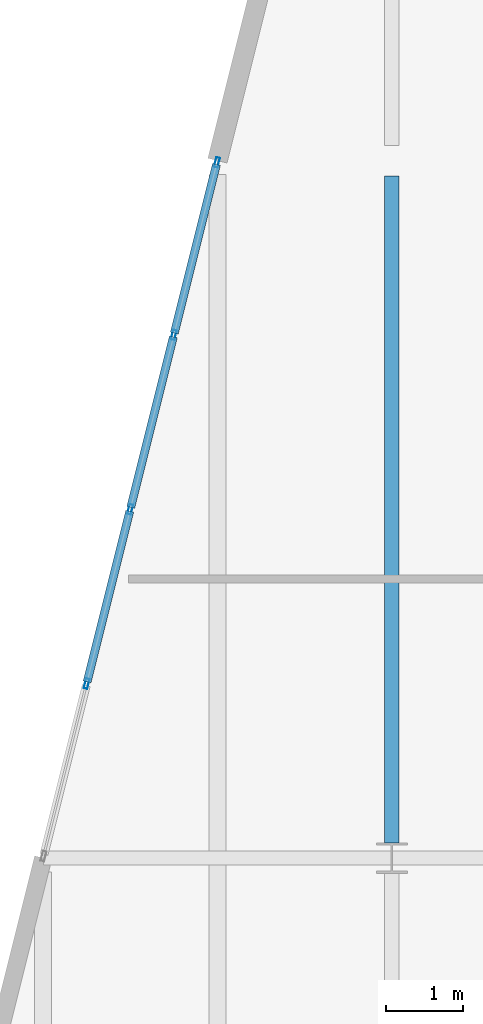
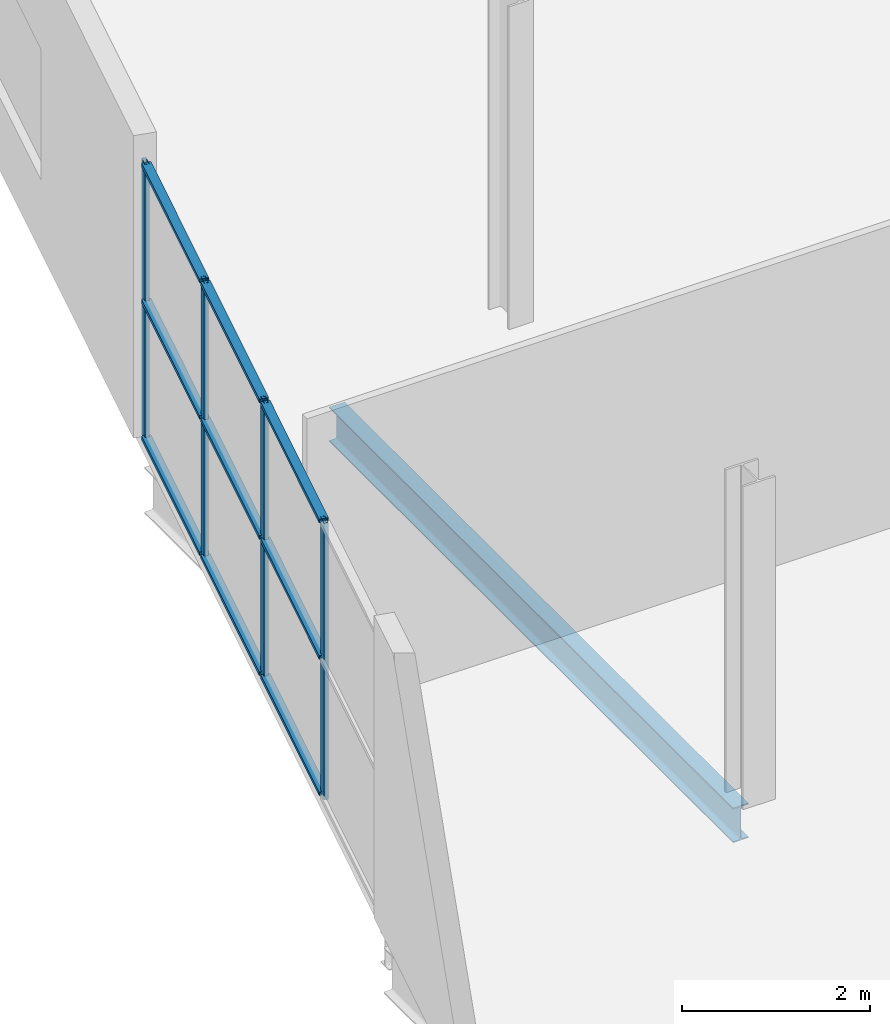
# One storey, part 53 of 132: 13 members, 1 beam, 1 element without a shape of its own.
"""IFC4 building model written with IfcOpenShell, lengths in metres."""

from ifc_helpers import new_model, si_unit, direction, frame, origin, origin_2d, place, context, subcontext, project, spatial, hollow_rectangle, i_section, extrude, material, layer, layer_set, material_profile, profile_set, type_object, element, aggregate, save


model = new_model("IFC4")

# Units and contexts
model_context = context("Model", 3, precision=1e-05, world=origin(), true_north=direction((0.0, 1.0)))
body_context = subcontext(model_context, "Body", "Model", "MODEL_VIEW")
ifc_project = project(units=[si_unit("LENGTHUNIT", "METRE"), si_unit("AREAUNIT", "SQUARE_METRE"), si_unit("VOLUMEUNIT", "CUBIC_METRE"), si_unit("PLANEANGLEUNIT", "RADIAN"), si_unit("MASSUNIT", "GRAM", prefix="KILO")], contexts=[model_context])

# Site, building, storey
site_placement = place(None, origin())
site = spatial("IfcSite", under=ifc_project, at=site_placement, CompositionType="ELEMENT")
building_placement = place(site_placement, origin())
building = spatial("IfcBuilding", under=site, at=building_placement, Name="Deido Ridge Mobility Hub", CompositionType="ELEMENT")
storey_placement = place(building_placement, frame((0.0, 0.0, 8.39990234375)))
storey = spatial("IfcBuildingStorey", under=building, at=storey_placement, Name="L02", CompositionType="ELEMENT", Elevation=8.39990234375)

# Beam
ifc_material_1 = material(Name="Steel S355J2 EN 10025-2", Category="steel")
ifc_material_profile_1 = material_profile(ifc_material_1, i_section(OverallWidth=0.18994140625, OverallDepth=0.449951171875, WebThickness=0.009521484375, FlangeThickness=0.0146484375, FilletRadius=0.02099609375, at=origin_2d()), Name="IPE 450")
ifc_profile_set_1 = profile_set([ifc_material_profile_1], Name="Steel S355J2 EN 10025-2")
beam_type = type_object("IfcBeamType", Name="BM-IPE450", PredefinedType="BEAM", material=ifc_profile_set_1)
beam_placement = place(storey_placement, frame((126.0, 18.196533203125, -0.47998046875), z_axis=(0.0, 1.0, 0.0), x_axis=(-1.0, 0.0, 0.0)))
element("IfcBeam", 1, at=beam_placement, inside=storey, type_object=beam_type, Name="Floor beam B4", PredefinedType="BEAM", context=body_context, shape_type="SweptSolid", body=[
    extrude(i_section(OverallWidth=0.18994140625, OverallDepth=0.449951171875, WebThickness=0.009521484375, FlangeThickness=0.0146484375, FilletRadius=0.02099609375, at=origin_2d()), origin(), (0.0, 0.0, 1.0), 8.60693359375),
])

# Curtain wall, members
ifc_material_2 = material(Name="Anodised aluminium EN AW-6063 T6", Category="aluminium")
ifc_layer = layer(ifc_material_2, 0.179931640625, Name="Anodised aluminium EN AW-6063 T6")
ifc_layer_set = layer_set([ifc_layer], Name="Anodised aluminium EN AW-6063 T6")
curtain_wall_type = type_object("IfcCurtainWallType", Name="CW-UF-2", PredefinedType="USERDEFINED", material=ifc_layer_set)
curtain_wall_placement = place(storey_placement, origin())
curtain_wall = element("IfcCurtainWall", 2, at=curtain_wall_placement, inside=storey, type_object=curtain_wall_type, Name="Unitised curtain wall CW2", ObjectType="UNITISED FACADE", PredefinedType="USERDEFINED")
ifc_material_profile_2 = material_profile(ifc_material_2, hollow_rectangle(XDim=0.050048828125, YDim=0.1298828125, WallThickness=0.00390625, at=origin_2d()), Name="RHS 50x130x4")
ifc_profile_set_2 = profile_set([ifc_material_profile_2], Name="Anodised aluminium EN AW-6063 T6")
member_type_1 = type_object("IfcMemberType", Name="MEM-MUL-50X130", PredefinedType="MULLION", material=ifc_profile_set_2)
member_1_placement = place(storey_placement, frame((122.0625, 20.25, 0.0), z_axis=(0.0, 0.0, 1.0), x_axis=(-0.970142500145, 0.242535625038, 0.0)))
member_1 = element("IfcMember", 3, at=member_1_placement, type_object=member_type_1, Name="CW2 mullion 2", PredefinedType="MULLION", context=body_context, shape_type="SweptSolid", body=[
    extrude(hollow_rectangle(XDim=0.050048828125, YDim=0.1298828125, WallThickness=0.00390625, at=origin_2d()), origin(), (0.0, 0.0, 1.0), 3.60009765625),
])
member_2_placement = place(storey_placement, frame((122.625, 22.5, 0.0), z_axis=(0.0, 0.0, 1.0), x_axis=(-0.970142500145, 0.242535625038, 0.0)))
member_2 = element("IfcMember", 4, at=member_2_placement, type_object=member_type_1, Name="CW2 mullion 3", PredefinedType="MULLION", context=body_context, shape_type="SweptSolid", body=[
    extrude(hollow_rectangle(XDim=0.050048828125, YDim=0.1298828125, WallThickness=0.00390625, at=origin_2d()), origin(), (0.0, 0.0, 1.0), 3.60009765625),
])
member_3_placement = place(storey_placement, frame((123.1875, 24.75, 0.0), z_axis=(0.0, 0.0, 1.0), x_axis=(-0.970142500145, 0.242535625038, 0.0)))
member_3 = element("IfcMember", 5, at=member_3_placement, type_object=member_type_1, Name="CW2 mullion 4", PredefinedType="MULLION", context=body_context, shape_type="SweptSolid", body=[
    extrude(hollow_rectangle(XDim=0.050048828125, YDim=0.1298828125, WallThickness=0.00390625, at=origin_2d()), origin(), (0.0, 0.0, 1.0), 3.60009765625),
])
member_4_placement = place(storey_placement, frame((123.743896484375, 26.975830078125, 0.0), z_axis=(0.0, 0.0, 1.0), x_axis=(-0.970142500145, 0.242535625038, 0.0)))
member_4 = element("IfcMember", 6, at=member_4_placement, type_object=member_type_1, Name="CW2 mullion 5", PredefinedType="MULLION", context=body_context, shape_type="SweptSolid", body=[
    extrude(hollow_rectangle(XDim=0.050048828125, YDim=0.1298828125, WallThickness=0.00390625, at=origin_2d()), origin(), (0.0, 0.0, 1.0), 3.60009765625),
])
ifc_material_profile_3 = material_profile(ifc_material_2, hollow_rectangle(XDim=0.10498046875, YDim=0.050048828125, WallThickness=0.00390625, at=origin_2d()), Name="RHS 105x50x4")
ifc_profile_set_3 = profile_set([ifc_material_profile_3], Name="Anodised aluminium EN AW-6063 T6")
member_type_2 = type_object("IfcMemberType", Name="MEM-TRN-105X50", PredefinedType="USERDEFINED", material=ifc_profile_set_3)
member_5_placement = place(storey_placement, frame((122.068603515625, 20.274169921875, 0.025146484375), z_axis=(0.242484998891, 0.970155155278, 0.0), x_axis=(-0.970155155278, 0.242484998891, 0.0)))
member_5 = element("IfcMember", 7, at=member_5_placement, type_object=member_type_2, Name="CW2 transom 2.1", ObjectType="TRANSOM", PredefinedType="USERDEFINED", context=body_context, shape_type="SweptSolid", body=[
    extrude(hollow_rectangle(XDim=0.10498046875, YDim=0.050048828125, WallThickness=0.00390625, at=origin_2d()), origin(), (0.0, 0.0, 1.0), 2.269287109375),
])
member_6_placement = place(storey_placement, frame((122.068603515625, 20.274169921875, 1.800048828125), z_axis=(0.242484998891, 0.970155155278, 0.0), x_axis=(-0.970155155278, 0.242484998891, 0.0)))
member_6 = element("IfcMember", 8, at=member_6_placement, type_object=member_type_2, Name="CW2 transom 2.2", ObjectType="TRANSOM", PredefinedType="USERDEFINED", context=body_context, shape_type="SweptSolid", body=[
    extrude(hollow_rectangle(XDim=0.10498046875, YDim=0.050048828125, WallThickness=0.00390625, at=origin_2d()), origin(), (0.0, 0.0, 1.0), 2.269287109375),
])
member_7_placement = place(storey_placement, frame((122.068603515625, 20.274169921875, 3.5751953125), z_axis=(0.242484998891, 0.970155155278, 0.0), x_axis=(-0.970155155278, 0.242484998891, 0.0)))
member_7 = element("IfcMember", 9, at=member_7_placement, type_object=member_type_2, Name="CW2 transom 2.3", ObjectType="TRANSOM", PredefinedType="USERDEFINED", context=body_context, shape_type="SweptSolid", body=[
    extrude(hollow_rectangle(XDim=0.10498046875, YDim=0.050048828125, WallThickness=0.00390625, at=origin_2d()), origin(), (0.0, 0.0, 1.0), 2.269287109375),
])
member_8_placement = place(storey_placement, frame((122.631103515625, 22.524169921875, 0.025146484375), z_axis=(0.242484998891, 0.970155155278, 0.0), x_axis=(-0.970155155278, 0.242484998891, 0.0)))
member_8 = element("IfcMember", 10, at=member_8_placement, type_object=member_type_2, Name="CW2 transom 3.1", ObjectType="TRANSOM", PredefinedType="USERDEFINED", context=body_context, shape_type="SweptSolid", body=[
    extrude(hollow_rectangle(XDim=0.10498046875, YDim=0.050048828125, WallThickness=0.00390625, at=origin_2d()), origin(), (0.0, 0.0, 1.0), 2.269287109375),
])
member_9_placement = place(storey_placement, frame((122.631103515625, 22.524169921875, 1.800048828125), z_axis=(0.242484998891, 0.970155155278, 0.0), x_axis=(-0.970155155278, 0.242484998891, 0.0)))
member_9 = element("IfcMember", 11, at=member_9_placement, type_object=member_type_2, Name="CW2 transom 3.2", ObjectType="TRANSOM", PredefinedType="USERDEFINED", context=body_context, shape_type="SweptSolid", body=[
    extrude(hollow_rectangle(XDim=0.10498046875, YDim=0.050048828125, WallThickness=0.00390625, at=origin_2d()), origin(), (0.0, 0.0, 1.0), 2.269287109375),
])
member_10_placement = place(storey_placement, frame((122.631103515625, 22.524169921875, 3.5751953125), z_axis=(0.242484998891, 0.970155155278, 0.0), x_axis=(-0.970155155278, 0.242484998891, 0.0)))
member_10 = element("IfcMember", 12, at=member_10_placement, type_object=member_type_2, Name="CW2 transom 3.3", ObjectType="TRANSOM", PredefinedType="USERDEFINED", context=body_context, shape_type="SweptSolid", body=[
    extrude(hollow_rectangle(XDim=0.10498046875, YDim=0.050048828125, WallThickness=0.00390625, at=origin_2d()), origin(), (0.0, 0.0, 1.0), 2.269287109375),
])
member_11_placement = place(storey_placement, frame((123.193603515625, 24.774169921875, 0.025146484375), z_axis=(0.242484431195, 0.970155297171, 0.0), x_axis=(-0.970155297171, 0.242484431195, 0.0)))
member_11 = element("IfcMember", 13, at=member_11_placement, type_object=member_type_2, Name="CW2 transom 4.1", ObjectType="TRANSOM", PredefinedType="USERDEFINED", context=body_context, shape_type="SweptSolid", body=[
    extrude(hollow_rectangle(XDim=0.10498046875, YDim=0.050048828125, WallThickness=0.00390625, at=origin_2d()), origin(), (0.0, 0.0, 1.0), 2.244140625),
])
member_12_placement = place(storey_placement, frame((123.193603515625, 24.774169921875, 1.800048828125), z_axis=(0.242484431195, 0.970155297171, 0.0), x_axis=(-0.970155297171, 0.242484431195, 0.0)))
member_12 = element("IfcMember", 14, at=member_12_placement, type_object=member_type_2, Name="CW2 transom 4.2", ObjectType="TRANSOM", PredefinedType="USERDEFINED", context=body_context, shape_type="SweptSolid", body=[
    extrude(hollow_rectangle(XDim=0.10498046875, YDim=0.050048828125, WallThickness=0.00390625, at=origin_2d()), origin(), (0.0, 0.0, 1.0), 2.244140625),
])
member_13_placement = place(storey_placement, frame((123.193603515625, 24.774169921875, 3.5751953125), z_axis=(0.242484431195, 0.970155297171, 0.0), x_axis=(-0.970155297171, 0.242484431195, 0.0)))
member_13 = element("IfcMember", 15, at=member_13_placement, type_object=member_type_2, Name="CW2 transom 4.3", ObjectType="TRANSOM", PredefinedType="USERDEFINED", context=body_context, shape_type="SweptSolid", body=[
    extrude(hollow_rectangle(XDim=0.10498046875, YDim=0.050048828125, WallThickness=0.00390625, at=origin_2d()), origin(), (0.0, 0.0, 1.0), 2.244140625),
])
aggregate(curtain_wall, [member_1, member_2, member_3, member_4, member_5, member_6, member_7, member_8, member_9, member_10, member_11, member_12, member_13])

save(model, "model.ifc")
